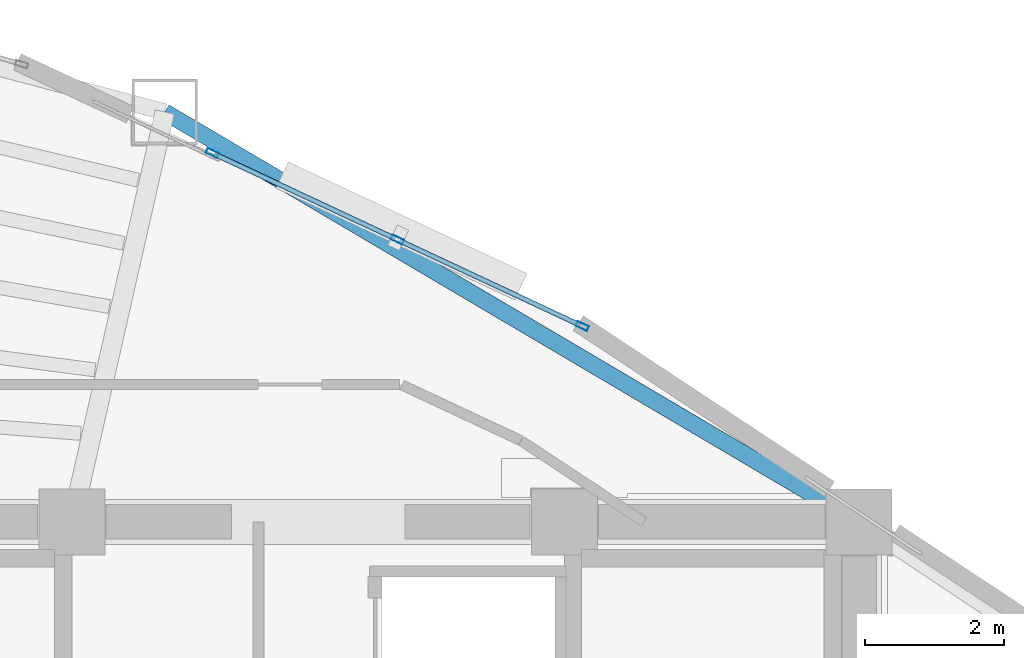
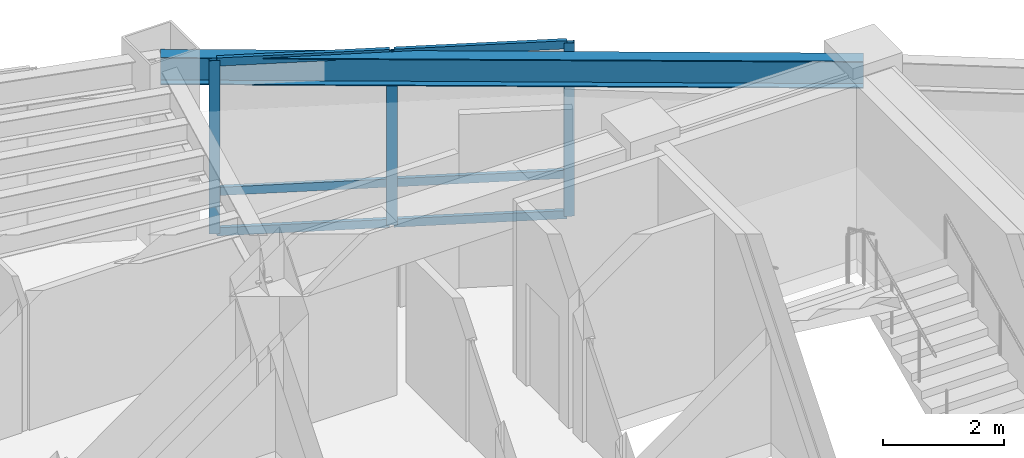
# One storey, part 8 of 16: 9 members, 1 beam, 1 element without a shape of its own.
"""IFC4 building model written with IfcOpenShell, lengths in metres."""

from ifc_helpers import new_model, si_unit, direction, frame, origin, origin_2d, place, context, subcontext, project, spatial, hollow_rectangle, i_section, extrude, material, layer, layer_set, material_profile, profile_set, type_object, element, aggregate, save


model = new_model("IFC4")

# Units and contexts
model_context = context("Model", 3, precision=1e-05, world=origin(), true_north=direction((0.0, 1.0)))
body_context = subcontext(model_context, "Body", "Model", "MODEL_VIEW")
ifc_project = project(units=[si_unit("LENGTHUNIT", "METRE"), si_unit("AREAUNIT", "SQUARE_METRE"), si_unit("VOLUMEUNIT", "CUBIC_METRE"), si_unit("PLANEANGLEUNIT", "RADIAN"), si_unit("MASSUNIT", "GRAM", prefix="KILO")], contexts=[model_context])

# Site, building, storey
site_placement = place(None, origin())
site = spatial("IfcSite", under=ifc_project, at=site_placement, CompositionType="ELEMENT")
building_placement = place(site_placement, origin())
building = spatial("IfcBuilding", under=site, at=building_placement, Name="Menara Vayukalpa", CompositionType="ELEMENT")
storey_placement = place(building_placement, frame((0.0, 0.0, 195.239990234375)))
storey = spatial("IfcBuildingStorey", under=building, at=storey_placement, Name="L49", CompositionType="ELEMENT", Elevation=195.239990234375)

# Beam
ifc_material_1 = material(Name="Steel S355", Category="steel")
ifc_material_profile_1 = material_profile(ifc_material_1, i_section(OverallWidth=0.239990234375, OverallDepth=0.550048828125, WebThickness=0.010986328125, FlangeThickness=0.01904296875, at=origin_2d()), Name="WF 550x240x11x19")
ifc_profile_set_1 = profile_set([ifc_material_profile_1], Name="Steel S355")
beam_type = type_object("IfcBeamType", Name="BM-SP2", PredefinedType="SPANDREL", material=ifc_profile_set_1)
beam_placement = place(storey_placement, frame((33.39990234375, 26.800048828125, 3.22509765625), z_axis=(-0.861184403346, 0.508292655302, 0.0), x_axis=(-0.508292655302, -0.861184403346, 0.0)))
element("IfcBeam", 1, at=beam_placement, inside=storey, type_object=beam_type, Name="L49 Perimeter Spandrel Beam SP02", PredefinedType="SPANDREL", context=body_context, shape_type="SweptSolid", body=[
    extrude(i_section(OverallWidth=0.239990234375, OverallDepth=0.550048828125, WebThickness=0.010986328125, FlangeThickness=0.01904296875, at=origin_2d()), origin(), (0.0, 0.0, 1.0), 11.6240234375),
])

# Curtain wall, members
ifc_material_2 = material(Name="Anodised Terracotta Aluminium Alloy 6063-T6", Category="masonry")
ifc_layer = layer(ifc_material_2, 0.179931640625)
ifc_layer_set = layer_set([ifc_layer], Name="Anodised Terracotta Aluminium Alloy 6063-T6")
curtain_wall_type = type_object("IfcCurtainWallType", Name="CW-CW4", PredefinedType="USERDEFINED", material=ifc_layer_set)
curtain_wall_placement = place(storey_placement, origin())
curtain_wall = element("IfcCurtainWall", 2, at=curtain_wall_placement, inside=storey, type_object=curtain_wall_type, Name="L49 Sky Bar Cantilever Glazed Curtain Wall CW4 05", ObjectType="UNITISED", PredefinedType="USERDEFINED")
ifc_material_3 = material(Name="Anodised Terracotta Aluminium Alloy 6063-T6", Category="masonry")
ifc_material_profile_2 = material_profile(ifc_material_3, hollow_rectangle(XDim=0.074951171875, YDim=0.179931640625, WallThickness=0.00390625, at=origin_2d()), Name="ALU 75x180x4")
ifc_profile_set_2 = profile_set([ifc_material_profile_2], Name="Anodised Terracotta Aluminium Alloy 6063-T6")
member_type_1 = type_object("IfcMemberType", Name="CWM-CW4", PredefinedType="MULLION", material=ifc_profile_set_2)
member_1_placement = place(storey_placement, frame((29.408447265625, 29.62109375, 0.0), z_axis=(0.0, 0.0, 1.0), x_axis=(-0.423743699648, -0.90578213551, 0.0)))
member_1 = element("IfcMember", 3, at=member_1_placement, type_object=member_type_1, Name="CW4 mullion 1", PredefinedType="MULLION", context=body_context, shape_type="SweptSolid", body=[
    extrude(hollow_rectangle(XDim=0.074951171875, YDim=0.179931640625, WallThickness=0.00390625, at=origin_2d()), origin(), (0.0, 0.0, 1.0), 3.5),
])
member_2_placement = place(storey_placement, frame((26.741943359375, 30.868408203125, 0.0), z_axis=(0.0, 0.0, 1.0), x_axis=(-0.423743699648, -0.90578213551, 0.0)))
member_2 = element("IfcMember", 4, at=member_2_placement, type_object=member_type_1, Name="CW4 mullion 2", PredefinedType="MULLION", context=body_context, shape_type="SweptSolid", body=[
    extrude(hollow_rectangle(XDim=0.074951171875, YDim=0.179931640625, WallThickness=0.00390625, at=origin_2d()), origin(), (0.0, 0.0, 1.0), 3.5),
])
member_3_placement = place(storey_placement, frame((24.075439453125, 32.115966796875, 0.0), z_axis=(0.0, 0.0, 1.0), x_axis=(-0.423743699648, -0.90578213551, 0.0)))
member_3 = element("IfcMember", 5, at=member_3_placement, type_object=member_type_1, Name="CW4 mullion 3", PredefinedType="MULLION", context=body_context, shape_type="SweptSolid", body=[
    extrude(hollow_rectangle(XDim=0.074951171875, YDim=0.179931640625, WallThickness=0.00390625, at=origin_2d()), origin(), (0.0, 0.0, 1.0), 3.5),
])
ifc_material_4 = material(Name="Anodised Terracotta Aluminium Alloy 6063-T6", Category="masonry")
ifc_material_profile_3 = material_profile(ifc_material_4, hollow_rectangle(XDim=0.070068359375, YDim=0.1650390625, WallThickness=0.00390625, at=origin_2d()), Name="ALU 70x165x4")
ifc_profile_set_3 = profile_set([ifc_material_profile_3], Name="Anodised Terracotta Aluminium Alloy 6063-T6")
member_type_2 = type_object("IfcMemberType", Name="CWT-CW4", PredefinedType="USERDEFINED", material=ifc_profile_set_3)
member_4_placement = place(storey_placement, frame((29.37451171875, 29.636962890625, 0.034912109375), z_axis=(-0.905797954054, 0.423709884746, 0.0), x_axis=(-0.423709884746, -0.905797954054, 0.0)))
member_4 = element("IfcMember", 6, at=member_4_placement, type_object=member_type_2, Name="CW4 transom 1.1", ObjectType="TRANSOM", PredefinedType="USERDEFINED", context=body_context, shape_type="SweptSolid", body=[
    extrude(hollow_rectangle(XDim=0.070068359375, YDim=0.1650390625, WallThickness=0.00390625, at=origin_2d()), origin(), (0.0, 0.0, 1.0), 2.868896484375),
])
member_5_placement = place(storey_placement, frame((29.37451171875, 29.636962890625, 0.85009765625), z_axis=(-0.905797954054, 0.423709884746, 0.0), x_axis=(-0.423709884746, -0.905797954054, 0.0)))
member_5 = element("IfcMember", 7, at=member_5_placement, type_object=member_type_2, Name="CW4 transom 1.2", ObjectType="TRANSOM", PredefinedType="USERDEFINED", context=body_context, shape_type="SweptSolid", body=[
    extrude(hollow_rectangle(XDim=0.070068359375, YDim=0.1650390625, WallThickness=0.00390625, at=origin_2d()), origin(), (0.0, 0.0, 1.0), 2.868896484375),
])
member_6_placement = place(storey_placement, frame((29.37451171875, 29.636962890625, 3.465087890625), z_axis=(-0.905797954054, 0.423709884746, 0.0), x_axis=(-0.423709884746, -0.905797954054, 0.0)))
member_6 = element("IfcMember", 8, at=member_6_placement, type_object=member_type_2, Name="CW4 transom 1.3", ObjectType="TRANSOM", PredefinedType="USERDEFINED", context=body_context, shape_type="SweptSolid", body=[
    extrude(hollow_rectangle(XDim=0.070068359375, YDim=0.1650390625, WallThickness=0.00390625, at=origin_2d()), origin(), (0.0, 0.0, 1.0), 2.868896484375),
])
member_7_placement = place(storey_placement, frame((26.7080078125, 30.88427734375, 0.034912109375), z_axis=(-0.905765291772, 0.423779702464, 0.0), x_axis=(-0.423779702464, -0.905765291772, 0.0)))
member_7 = element("IfcMember", 9, at=member_7_placement, type_object=member_type_2, Name="CW4 transom 2.1", ObjectType="TRANSOM", PredefinedType="USERDEFINED", context=body_context, shape_type="SweptSolid", body=[
    extrude(hollow_rectangle(XDim=0.070068359375, YDim=0.1650390625, WallThickness=0.00390625, at=origin_2d()), origin(), (0.0, 0.0, 1.0), 2.868896484375),
])
member_8_placement = place(storey_placement, frame((26.7080078125, 30.88427734375, 0.85009765625), z_axis=(-0.905765291772, 0.423779702464, 0.0), x_axis=(-0.423779702464, -0.905765291772, 0.0)))
member_8 = element("IfcMember", 10, at=member_8_placement, type_object=member_type_2, Name="CW4 transom 2.2", ObjectType="TRANSOM", PredefinedType="USERDEFINED", context=body_context, shape_type="SweptSolid", body=[
    extrude(hollow_rectangle(XDim=0.070068359375, YDim=0.1650390625, WallThickness=0.00390625, at=origin_2d()), origin(), (0.0, 0.0, 1.0), 2.868896484375),
])
member_9_placement = place(storey_placement, frame((26.7080078125, 30.88427734375, 3.465087890625), z_axis=(-0.905765291772, 0.423779702464, 0.0), x_axis=(-0.423779702464, -0.905765291772, 0.0)))
member_9 = element("IfcMember", 11, at=member_9_placement, type_object=member_type_2, Name="CW4 transom 2.3", ObjectType="TRANSOM", PredefinedType="USERDEFINED", context=body_context, shape_type="SweptSolid", body=[
    extrude(hollow_rectangle(XDim=0.070068359375, YDim=0.1650390625, WallThickness=0.00390625, at=origin_2d()), origin(), (0.0, 0.0, 1.0), 2.868896484375),
])
aggregate(curtain_wall, [member_1, member_2, member_3, member_4, member_5, member_6, member_7, member_8, member_9])

save(model, "model.ifc")
